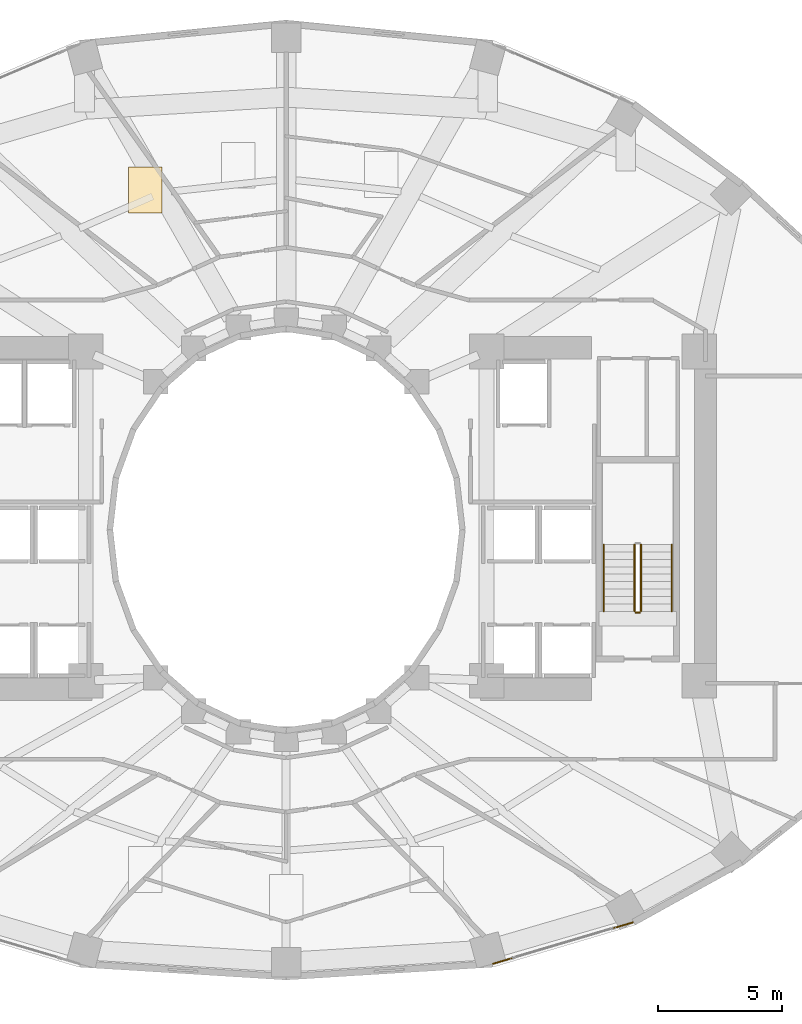
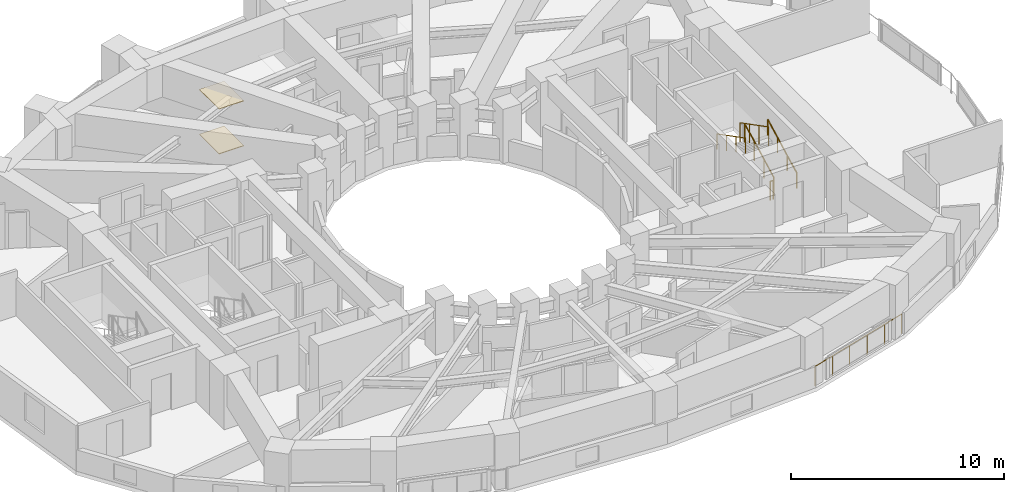
# One storey, part 20 of 22: 6 railings, 2 coverings.
"""IFC4 building model written with IfcOpenShell, lengths in metres."""

import ifcopenshell
import ifcopenshell.guid

model = None  # the IFC model being written
_history = None  # IfcOwnerHistory: only IFC2X3 demands one
_inside = {}  # id of a spatial element -> (the spatial element, [elements in it])
_under = {}  # id of a project, library or spatial element -> (it, [spatial elements below it])
_declared = {}  # id of a project -> (the project, [libraries it declares])
_typed = {}  # id of a type object -> (the type object, [elements of that type])
_made_of = {}  # id of a material, layer set ... -> (it, [elements and type objects made of it])


def new_model(schema):
    """Start an empty IFC model of exactly this schema.

    Asked for "IFC4X3", IfcOpenShell would pick the latest addendum, in which some entities
    have other attributes; the version numbers below select the first issue.
    IFC2X3 requires an IfcOwnerHistory on every rooted entity: one is made here for all.
    """
    global model, _history
    if schema == "IFC4X3":
        model = ifcopenshell.file(schema_version=(4, 3, 0, 0))
    else:
        model = ifcopenshell.file(schema=schema)
    _inside.clear()
    _under.clear()
    _declared.clear()
    _typed.clear()
    _made_of.clear()
    _history = None
    if model.schema == "IFC2X3":
        org = make("IfcOrganization", Name="unknown")
        user = make(
            "IfcPersonAndOrganization",
            ThePerson=make("IfcPerson", FamilyName="unknown"),
            TheOrganization=org,
        )
        app = make(
            "IfcApplication",
            ApplicationDeveloper=org,
            Version="unknown",
            ApplicationFullName="unknown",
            ApplicationIdentifier="unknown",
        )
        _history = make(
            "IfcOwnerHistory",
            OwningUser=user,
            OwningApplication=app,
            ChangeAction="ADDED",
            CreationDate=0,
        )
    return model


def make(cls, **values):
    """One entity of the class cls with the attributes given. An attribute that is None is left unset."""
    return model.create_entity(
        cls, **{name: value for name, value in values.items() if value is not None}
    )


def rooted(cls, **values):
    """An entity with a GlobalId (a new one), such as an element, a storey or a relation."""
    return make(cls, GlobalId=ifcopenshell.guid.new(), OwnerHistory=_history, **values)


def si_unit(unit_type, name, prefix=None):
    """IfcSIUnit, for example si_unit("LENGTHUNIT", "METRE", prefix="MILLI")."""
    return make("IfcSIUnit", UnitType=unit_type, Prefix=prefix, Name=name)


def assignment(units):
    """IfcUnitAssignment: the units of a project."""
    return None if units is None else make("IfcUnitAssignment", Units=units)


def point(xyz):
    """IfcCartesianPoint."""
    return None if xyz is None else make("IfcCartesianPoint", Coordinates=xyz)


def direction(xyz):
    """IfcDirection."""
    return None if xyz is None else make("IfcDirection", DirectionRatios=xyz)


def frame(location, z_axis=None, x_axis=None):
    """IfcAxis2Placement3D, a coordinate frame: its origin and axes. An axis left out is left unset."""
    return make(
        "IfcAxis2Placement3D",
        Location=point(location),
        Axis=direction(z_axis),
        RefDirection=direction(x_axis),
    )


def frame_2d(location, x_axis=None):
    """IfcAxis2Placement2D, a coordinate frame in the plane: its origin and x axis."""
    return make(
        "IfcAxis2Placement2D", Location=point(location), RefDirection=direction(x_axis)
    )


def origin():
    """The frame at (0, 0, 0) with its axes left unset."""
    return frame((0.0, 0.0, 0.0))


def origin_2d():
    """The frame at (0, 0) in the plane with its x axis left unset."""
    return frame_2d((0.0, 0.0))


def place(relative_to, where):
    """IfcLocalPlacement: puts the frame where relative to a parent placement (None: the world)."""
    return make(
        "IfcLocalPlacement", PlacementRelTo=relative_to, RelativePlacement=where
    )


def context(
    kind, dimensions, precision=None, world=None, true_north=None, identifier=None
):
    """IfcGeometricRepresentationContext, for example the 3D "Model" context."""
    return make(
        "IfcGeometricRepresentationContext",
        ContextIdentifier=identifier,
        ContextType=kind,
        CoordinateSpaceDimension=dimensions,
        Precision=precision,
        WorldCoordinateSystem=world,
        TrueNorth=true_north,
    )


def subcontext(parent, identifier, kind, view, scale=None):
    """IfcGeometricRepresentationSubContext, for example "Body" below "Model"."""
    return make(
        "IfcGeometricRepresentationSubContext",
        ContextIdentifier=identifier,
        ContextType=kind,
        ParentContext=parent,
        TargetScale=scale,
        TargetView=view,
    )


def project(units=None, contexts=None):
    """IfcProject with its units and contexts."""
    return rooted(
        "IfcProject",
        Name="project",
        RepresentationContexts=contexts,
        UnitsInContext=assignment(units),
    )


def spatial(cls, under=None, at=None, **own):
    """A site, building, storey or space (cls), placed at a placement, below another one or the project."""
    s = rooted(cls, ObjectPlacement=at, **own)
    if under is not None:
        _under.setdefault(under.id(), (under, []))[1].append(s)
    return s


def polyline(points):
    """IfcPolyline through the points."""
    return make("IfcPolyline", Points=[point(p) for p in points])


def profile(cls, at=None, kind="AREA", **sizes):
    """A parametric profile (cls). Its sizes go by their IFC names, for example OverallWidth=200.0."""
    return make(cls, ProfileType=kind, Position=at, **sizes)


def circle(**sizes):
    """IfcCircleProfileDef."""
    return profile("IfcCircleProfileDef", **sizes)


def outline(outer, holes=None, kind="AREA"):
    """IfcArbitraryClosedProfileDef: a profile drawn as a closed curve; with holes, ...WithVoids."""
    if holes is None:
        return make("IfcArbitraryClosedProfileDef", ProfileType=kind, OuterCurve=outer)
    return make(
        "IfcArbitraryProfileDefWithVoids",
        ProfileType=kind,
        OuterCurve=outer,
        InnerCurves=holes,
    )


def extrude(swept, where, along, depth):
    """IfcExtrudedAreaSolid: the profile swept, set in the frame where, extruded along a direction by depth."""
    return make(
        "IfcExtrudedAreaSolid",
        SweptArea=swept,
        Position=where,
        ExtrudedDirection=direction(along),
        Depth=depth,
    )


def shape(context_of_items, identifier, shape_type, items):
    """IfcShapeRepresentation: the items that make up one representation, for example the "Body"."""
    return make(
        "IfcShapeRepresentation",
        ContextOfItems=context_of_items,
        RepresentationIdentifier=identifier,
        RepresentationType=shape_type,
        Items=items,
    )


def material(Name=None, Category=None):
    """IfcMaterial."""
    return make("IfcMaterial", Name=Name, Category=Category)


def layer(
    of_material, thickness, ventilated=None, Name=None, Category=None, Priority=None
):
    """IfcMaterialLayer: one layer of a wall or slab, of a material (None: an air gap)."""
    return make(
        "IfcMaterialLayer",
        Material=of_material,
        LayerThickness=thickness,
        IsVentilated=ventilated,
        Name=Name,
        Category=Category,
        Priority=Priority,
    )


def layer_set(layers, Name=None):
    """IfcMaterialLayerSet."""
    return make("IfcMaterialLayerSet", MaterialLayers=layers, LayerSetName=Name)


def made_of(thing, what):
    """Note that an element or type object is made of a material, layer set ...; save() writes the relation."""
    if what is not None:
        _made_of.setdefault(what.id(), (what, []))[1].append(thing)
    return thing


def type_object(cls, material=None, **own):
    """A type object (cls), such as IfcWallType, which elements share."""
    return made_of(rooted(cls, **own), material)


def element(
    cls,
    number,
    at=None,
    inside=None,
    cuts=None,
    type_object=None,
    material=None,
    context=None,
    identifier="Body",
    shape_type=None,
    held_by="IfcProductDefinitionShape",
    body=None,
    shapes=None,
    **own,
):
    """One element of the class cls, such as IfcWall. Its Tag is "e" and its number.

    at: its placement. inside: the storey or other place that contains it. cuts: it is an
    opening in that element (IfcRelVoidsElement). A single representation is given by context,
    identifier, shape_type and body (its items); several are given by shapes. held_by: the class
    of the entity that holds the representations. save() writes the other relations.
    """
    e = rooted(cls, Tag="e%d" % number, ObjectPlacement=at, **own)
    if body is not None:
        shapes = [shape(context, identifier, shape_type, body)]
    if shapes is not None:
        e.Representation = make(held_by, Representations=shapes)
    if inside is not None:
        _inside.setdefault(inside.id(), (inside, []))[1].append(e)
    if cuts is not None:
        rooted(
            "IfcRelVoidsElement", RelatingBuildingElement=cuts, RelatedOpeningElement=e
        )
    if type_object is not None:
        _typed.setdefault(type_object.id(), (type_object, []))[1].append(e)
    return made_of(e, material)


def aggregate(whole, parts):
    """IfcRelAggregates: a whole, such as a stair, and the parts it consists of."""
    return rooted("IfcRelAggregates", RelatingObject=whole, RelatedObjects=parts)


def save(model, path):
    """Write the relations noted so far, then the file.

    IfcRelAggregates (storeys below a building ...), IfcRelContainedInSpatialStructure (elements
    in a storey), IfcRelDefinesByType, IfcRelAssociatesMaterial and IfcRelDeclares: one each for
    every whole, place, type object, material and project.
    """
    for whole, parts in _under.values():
        aggregate(whole, parts)
    for where, things in _inside.values():
        rooted(
            "IfcRelContainedInSpatialStructure",
            RelatedElements=things,
            RelatingStructure=where,
        )
    for kind, things in _typed.values():
        rooted("IfcRelDefinesByType", RelatedObjects=things, RelatingType=kind)
    for what, things in _made_of.values():
        rooted("IfcRelAssociatesMaterial", RelatedObjects=things, RelatingMaterial=what)
    for by, libraries in _declared.values():
        rooted("IfcRelDeclares", RelatingContext=by, RelatedDefinitions=libraries)
    model.write(path)


model = new_model("IFC4")

# Units and contexts
model_context = context("Model", 3, precision=1e-05, world=origin(), true_north=direction((0.0, 1.0)))
body_context = subcontext(model_context, "Body", "Model", "MODEL_VIEW")
ifc_project = project(units=[si_unit("LENGTHUNIT", "METRE"), si_unit("AREAUNIT", "SQUARE_METRE"), si_unit("VOLUMEUNIT", "CUBIC_METRE"), si_unit("PLANEANGLEUNIT", "RADIAN"), si_unit("MASSUNIT", "GRAM", prefix="KILO")], contexts=[model_context])

# Site, building, storey
site_placement = place(None, origin())
site = spatial("IfcSite", under=ifc_project, at=site_placement, CompositionType="ELEMENT")
building_placement = place(site_placement, origin())
building = spatial("IfcBuilding", under=site, at=building_placement, Name="Solvane Sanctuary Tower", CompositionType="ELEMENT")
storey_placement = place(building_placement, frame((0.0, 0.0, 43.10009765625)))
storey = spatial("IfcBuildingStorey", under=building, at=storey_placement, Name="L12", CompositionType="ELEMENT", Elevation=43.10009765625)

# Coverings
ifc_material_1 = material(Name="Acoustic Gypsum Partition Board")
ifc_layer_1 = layer(ifc_material_1, 0.02490234375, Name="Acoustic Gypsum Partition Board")
ifc_layer_set_1 = layer_set([ifc_layer_1], Name="Acoustic Gypsum Partition Board")
covering_type_1 = type_object("IfcCoveringType", Name="Covering CLG-ACOUST", PredefinedType="CEILING", material=ifc_layer_set_1)
covering_1_placement = place(storey_placement, frame((0.0, 0.0, 2.56982421875)))
element("IfcCovering", 1, at=covering_1_placement, inside=storey, type_object=covering_type_1, Name="L12 Unit Acoustic Ceiling Panel 3", PredefinedType="CEILING", context=body_context, shape_type="SweptSolid", body=[
    extrude(outline(polyline([(25.637939453125, 35.803955078125), (26.988037109375, 35.803955078125), (26.988037109375, 37.654052734375), (25.637939453125, 37.654052734375), (25.637939453125, 35.803955078125)])), origin(), (0.0, 0.0, 1.0), 0.030029296875),
])
ifc_material_2 = material(Name="Ceramic Tile Finish")
ifc_layer_2 = layer(ifc_material_2, 0.030029296875, Name="Ceramic Tile Finish")
ifc_layer_set_2 = layer_set([ifc_layer_2], Name="Ceramic Tile Finish")
covering_type_2 = type_object("IfcCoveringType", Name="Covering FLR-TERRAZZO", PredefinedType="FLOORING", material=ifc_layer_set_2)
covering_2_placement = place(storey_placement, origin())
element("IfcCovering", 2, at=covering_2_placement, inside=storey, type_object=covering_type_2, Name="L12 Unit Terrazzo Inlay 3", PredefinedType="FLOORING", context=body_context, shape_type="SweptSolid", body=[
    extrude(outline(polyline([(25.637939453125, 35.803955078125), (26.988037109375, 35.803955078125), (26.988037109375, 37.654052734375), (25.637939453125, 37.654052734375), (25.637939453125, 35.803955078125)])), origin(), (0.0, 0.0, 1.0), 0.034912109375),
])

# Railings
ifc_material_3 = material(Name="Architectural Stainless Steel 316", Category="steel")
railing_type_1 = type_object("IfcRailingType", Name="Railing GR-BALC-1150", PredefinedType="BALUSTRADE", material=ifc_material_3)
railing_1_placement = place(storey_placement, frame((40.360595703125, 5.45556640625, 0.0)))
element("IfcRailing", 3, at=railing_1_placement, inside=storey, type_object=railing_type_1, Name="L12 Curtain-Wall Perimeter Sill Guard 19", PredefinedType="BALUSTRADE", context=body_context, shape_type="SweptSolid", body=[
    extrude(circle(Radius=0.02392578125, at=origin_2d()), frame((0.0, 0.0, 1.1259765625), z_axis=(0.958844892166, 0.283930401274, 0.0), x_axis=(-0.283930401274, 0.958844892166, 0.0)), (0.0, 0.0, 1.0), 5.895263671875),
    extrude(circle(Radius=0.02099609375, at=origin_2d()), origin(), (0.0, 0.0, 1.0), 1.101806640625),
    extrude(circle(Radius=0.02099609375, at=origin_2d()), frame((1.130615234375, 0.334716796875, 0.0)), (0.0, 0.0, 1.0), 1.101806640625),
    extrude(circle(Radius=0.02099609375, at=origin_2d()), frame((2.260986328125, 0.66943359375, 0.0)), (0.0, 0.0, 1.0), 1.101806640625),
    extrude(circle(Radius=0.02099609375, at=origin_2d()), frame((3.3916015625, 1.00439453125, 0.0)), (0.0, 0.0, 1.0), 1.101806640625),
    extrude(circle(Radius=0.02099609375, at=origin_2d()), frame((4.52197265625, 1.339111328125, 0.0)), (0.0, 0.0, 1.0), 1.101806640625),
    extrude(circle(Radius=0.02099609375, at=origin_2d()), frame((5.652587890625, 1.673828125, 0.0)), (0.0, 0.0, 1.0), 1.101806640625),
])
railing_2_placement = place(storey_placement, frame((46.340087890625, 19.699951171875, 0.15478515625)))
element("IfcRailing", 4, at=railing_2_placement, inside=storey, type_object=railing_type_1, Name="L12 ST-2 stair guard 1", PredefinedType="BALUSTRADE", context=body_context, shape_type="SweptSolid", body=[
    extrude(circle(Radius=0.02392578125, at=origin_2d()), frame((0.0, 0.0, 1.076171875), z_axis=(0.0, 0.888419900624, 0.459031676658), x_axis=(-1.0, 0.0, 0.0)), (0.0, 0.0, 1.0), 3.0390625),
    extrude(circle(Radius=0.02099609375, at=origin_2d()), origin(), (0.0, 0.0, 1.0), 1.052001953125),
    extrude(circle(Radius=0.02099609375, at=origin_2d()), frame((0.0, 0.89990234375, 0.465087890625)), (0.0, 0.0, 1.0), 1.052001953125),
    extrude(circle(Radius=0.02099609375, at=origin_2d()), frame((0.0, 1.800048828125, 0.929931640625)), (0.0, 0.0, 1.0), 1.052001953125),
    extrude(circle(Radius=0.02099609375, at=origin_2d()), frame((0.0, 2.699951171875, 1.39501953125)), (0.0, 0.0, 1.0), 1.052001953125),
])
railing_3_placement = place(storey_placement, frame((46.080078125, 22.39990234375, 1.704833984375)))
element("IfcRailing", 5, at=railing_3_placement, inside=storey, type_object=railing_type_1, Name="L12 ST-2 stair guard 3", PredefinedType="BALUSTRADE", context=body_context, shape_type="SweptSolid", body=[
    extrude(circle(Radius=0.02392578125, at=origin_2d()), frame((0.0, 0.0, 1.076171875), z_axis=(0.0, -0.888419900624, 0.459031676658), x_axis=(1.0, 0.0, 0.0)), (0.0, 0.0, 1.0), 3.0390625),
    extrude(circle(Radius=0.02099609375, at=origin_2d()), origin(), (0.0, 0.0, 1.0), 1.052001953125),
    extrude(circle(Radius=0.02099609375, at=origin_2d()), frame((0.0, -0.89990234375, 0.465087890625)), (0.0, 0.0, 1.0), 1.052001953125),
    extrude(circle(Radius=0.02099609375, at=origin_2d()), frame((0.0, -1.800048828125, 0.929931640625)), (0.0, 0.0, 1.0), 1.052001953125),
    extrude(circle(Radius=0.02099609375, at=origin_2d()), frame((0.0, -2.699951171875, 1.39501953125)), (0.0, 0.0, 1.0), 1.052001953125),
])
railing_4_placement = place(storey_placement, frame((46.2900390625, 19.64990234375, 0.0)))
element("IfcRailing", 6, at=railing_4_placement, inside=storey, type_object=railing_type_1, Name="L12 ST-2 stair guard 4", PredefinedType="BALUSTRADE", context=body_context, shape_type="SweptSolid", body=[
    extrude(circle(Radius=0.02392578125, at=origin_2d()), frame((0.0, 0.0, 1.076171875), z_axis=(-1.0, 0.0, 0.0), x_axis=(0.0, -1.0, 0.0)), (0.0, 0.0, 1.0), 0.16015625),
    extrude(circle(Radius=0.02099609375, at=origin_2d()), origin(), (0.0, 0.0, 1.0), 1.052001953125),
    extrude(circle(Radius=0.02099609375, at=origin_2d()), frame((-0.16015625, 0.0, 0.0)), (0.0, 0.0, 1.0), 1.052001953125),
])
railing_type_2 = type_object("IfcRailingType", Name="Railing HR-STAIR-920", PredefinedType="HANDRAIL", material=ifc_material_3)
railing_5_placement = place(storey_placement, frame((47.590087890625, 19.699951171875, 0.15478515625)))
element("IfcRailing", 7, at=railing_5_placement, inside=storey, type_object=railing_type_2, Name="L12 ST-2 stair handrail 1", PredefinedType="HANDRAIL", context=body_context, shape_type="SweptSolid", body=[
    extrude(circle(Radius=0.02392578125, at=origin_2d()), frame((0.0, 0.0, 0.8759765625), z_axis=(0.0, 0.888419900624, 0.459031676658), x_axis=(-1.0, 0.0, 0.0)), (0.0, 0.0, 1.0), 3.0390625),
    extrude(circle(Radius=0.02099609375, at=origin_2d()), origin(), (0.0, 0.0, 1.0), 0.851806640625),
    extrude(circle(Radius=0.02099609375, at=origin_2d()), frame((0.0, 0.89990234375, 0.465087890625)), (0.0, 0.0, 1.0), 0.851806640625),
    extrude(circle(Radius=0.02099609375, at=origin_2d()), frame((0.0, 1.800048828125, 0.929931640625)), (0.0, 0.0, 1.0), 0.851806640625),
    extrude(circle(Radius=0.02099609375, at=origin_2d()), frame((0.0, 2.699951171875, 1.39501953125)), (0.0, 0.0, 1.0), 0.851806640625),
])
railing_6_placement = place(storey_placement, frame((44.830078125, 22.39990234375, 1.704833984375)))
element("IfcRailing", 8, at=railing_6_placement, inside=storey, type_object=railing_type_2, Name="L12 ST-2 stair handrail 2", PredefinedType="HANDRAIL", context=body_context, shape_type="SweptSolid", body=[
    extrude(circle(Radius=0.02392578125, at=origin_2d()), frame((0.0, 0.0, 0.8759765625), z_axis=(0.0, -0.888419900624, 0.459031676658), x_axis=(1.0, 0.0, 0.0)), (0.0, 0.0, 1.0), 3.0390625),
    extrude(circle(Radius=0.02099609375, at=origin_2d()), origin(), (0.0, 0.0, 1.0), 0.851806640625),
    extrude(circle(Radius=0.02099609375, at=origin_2d()), frame((0.0, -0.89990234375, 0.465087890625)), (0.0, 0.0, 1.0), 0.851806640625),
    extrude(circle(Radius=0.02099609375, at=origin_2d()), frame((0.0, -1.800048828125, 0.929931640625)), (0.0, 0.0, 1.0), 0.851806640625),
    extrude(circle(Radius=0.02099609375, at=origin_2d()), frame((0.0, -2.699951171875, 1.39501953125)), (0.0, 0.0, 1.0), 0.851806640625),
])

save(model, "model.ifc")
